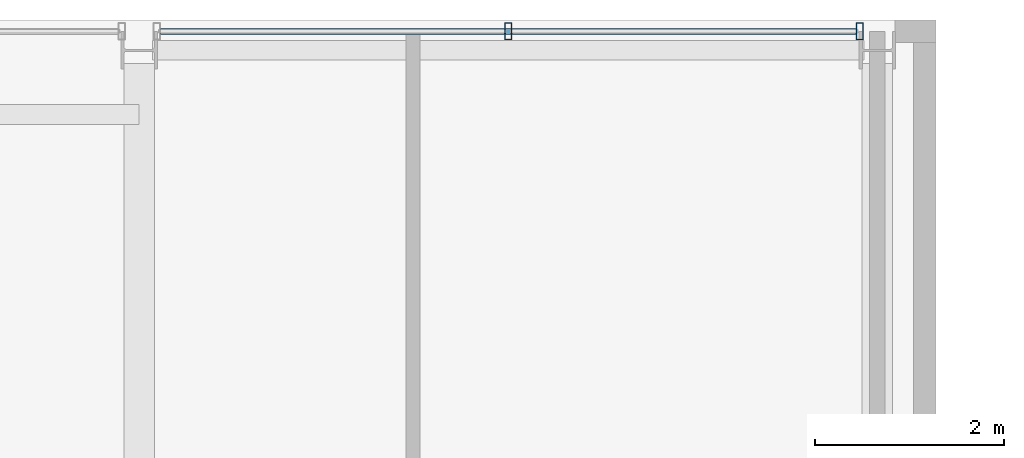
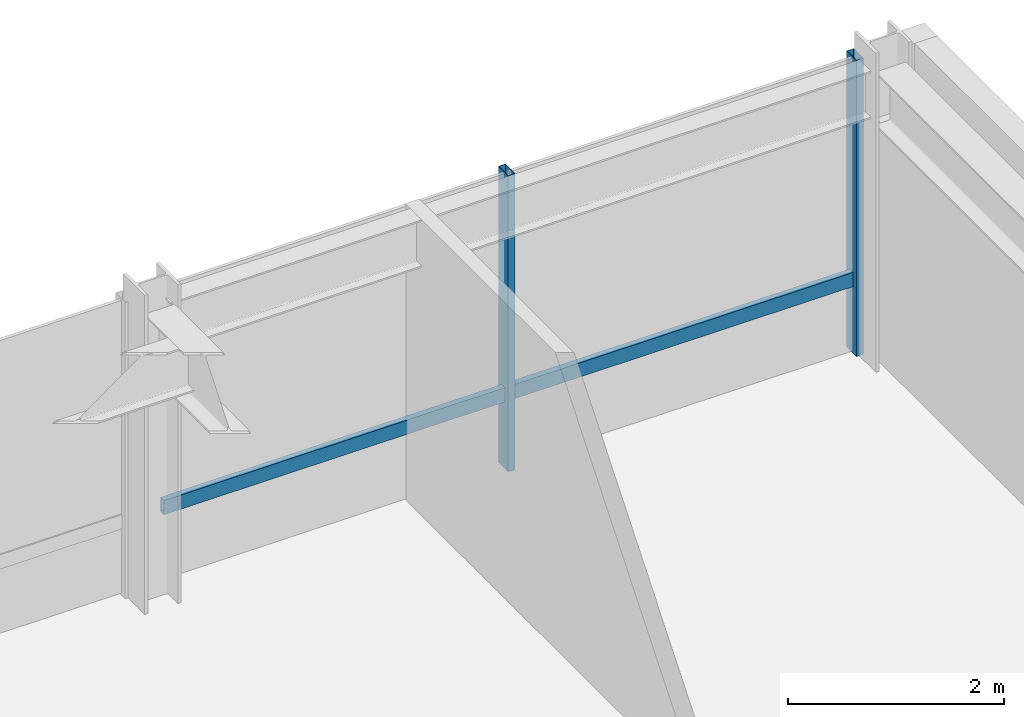
# One storey, part 24 of 33: 3 members, 1 element without a shape of its own.
"""IFC4 building model written with IfcOpenShell, lengths in metres."""

from ifc_helpers import new_model, si_unit, direction, frame, origin, origin_2d, place, context, subcontext, project, spatial, hollow_rectangle, extrude, material, layer, layer_set, material_profile, profile_set, type_object, element, aggregate, save


model = new_model("IFC4")

# Units and contexts
model_context = context("Model", 3, precision=1e-05, world=origin(), true_north=direction((0.0, 1.0)))
body_context = subcontext(model_context, "Body", "Model", "MODEL_VIEW")
ifc_project = project(units=[si_unit("LENGTHUNIT", "METRE"), si_unit("AREAUNIT", "SQUARE_METRE"), si_unit("VOLUMEUNIT", "CUBIC_METRE"), si_unit("PLANEANGLEUNIT", "RADIAN"), si_unit("MASSUNIT", "GRAM", prefix="KILO")], contexts=[model_context])

# Site, building, storey
site_placement = place(None, origin())
site = spatial("IfcSite", under=ifc_project, at=site_placement, CompositionType="ELEMENT")
building_placement = place(site_placement, origin())
building = spatial("IfcBuilding", under=site, at=building_placement, Name="Drelvath Grand Hotel", CompositionType="ELEMENT")
storey_placement = place(building_placement, frame((0.0, 0.0, 212.300048828125)))
storey = spatial("IfcBuildingStorey", under=building, at=storey_placement, Name="L55", CompositionType="ELEMENT", Elevation=212.300048828125)

# Curtain wall, members
ifc_material = material(Name="Platinum-Mist Anodised Aluminium Frame", Category="aluminium")
ifc_layer = layer(ifc_material, 0.199951171875)
ifc_layer_set = layer_set([ifc_layer], Name="Platinum-Mist Anodised Aluminium Frame")
curtain_wall_type = type_object("IfcCurtainWallType", Name="Stick Curtain Wall CW-05 Platinum Mist High-Rise", PredefinedType="NOTDEFINED", material=ifc_layer_set)
curtain_wall_placement = place(storey_placement, origin())
curtain_wall = element("IfcCurtainWall", 1, at=curtain_wall_placement, inside=storey, type_object=curtain_wall_type, Name="L55 CW-05 Curtain Wall CW05-L55-NE2", PredefinedType="NOTDEFINED")
ifc_material_profile_1 = material_profile(ifc_material, hollow_rectangle(XDim=0.06494140625, YDim=0.159912109375, WallThickness=0.00390625, at=origin_2d()), Name="HSS160X65X4")
ifc_profile_set_1 = profile_set([ifc_material_profile_1], Name="Platinum-Mist Anodised Aluminium Frame")
member_type_1 = type_object("IfcMemberType", Name="Curtain Wall Horizontal Transom CW-05 HSS160X65X4", PredefinedType="USERDEFINED", material=ifc_profile_set_1)
member_1_placement = place(storey_placement, frame((8.625244140625, 49.080078125, 0.8349609375), z_axis=(1.0, 0.0, 0.0), x_axis=(0.0, 1.0, 0.0)))
member_1 = element("IfcMember", 2, at=member_1_placement, type_object=member_type_1, Name="CW05-L55-NE2 Sill Transom", ObjectType="TRANSOM", PredefinedType="USERDEFINED", context=body_context, shape_type="SweptSolid", body=[
    extrude(hollow_rectangle(XDim=0.06494140625, YDim=0.159912109375, WallThickness=0.00390625, at=origin_2d()), origin(), (0.0, 0.0, 1.0), 7.349365234375),
])
ifc_material_profile_2 = material_profile(ifc_material, hollow_rectangle(XDim=0.074951171875, YDim=0.179931640625, WallThickness=0.0048828125, at=origin_2d()), Name="HSS180X75X5")
ifc_profile_set_2 = profile_set([ifc_material_profile_2], Name="Platinum-Mist Anodised Aluminium Frame")
member_type_2 = type_object("IfcMemberType", Name="Curtain Wall Vertical Mullion CW-05 HSS180X75X5", PredefinedType="MULLION", material=ifc_profile_set_2)
member_2_placement = place(storey_placement, frame((12.300048828125, 49.080078125, 0.0), z_axis=(0.0, 0.0, 1.0), x_axis=(1.0, 0.0, 0.0)))
member_2 = element("IfcMember", 3, at=member_2_placement, type_object=member_type_2, Name="CW05-L55-NE2 Mullion 2", PredefinedType="MULLION", context=body_context, shape_type="SweptSolid", body=[
    extrude(hollow_rectangle(XDim=0.074951171875, YDim=0.179931640625, WallThickness=0.0048828125, at=origin_2d()), origin(), (0.0, 0.0, 1.0), 3.33984375),
])
member_3_placement = place(storey_placement, frame((16.0146484375, 49.080078125, 0.0), z_axis=(0.0, 0.0, 1.0), x_axis=(1.0, 0.0, 0.0)))
member_3 = element("IfcMember", 4, at=member_3_placement, type_object=member_type_2, Name="CW05-L55-NE2 Mullion 3", PredefinedType="MULLION", context=body_context, shape_type="SweptSolid", body=[
    extrude(hollow_rectangle(XDim=0.074951171875, YDim=0.179931640625, WallThickness=0.0048828125, at=origin_2d()), origin(), (0.0, 0.0, 1.0), 3.33984375),
])
aggregate(curtain_wall, [member_2, member_3, member_1])

save(model, "model.ifc")
